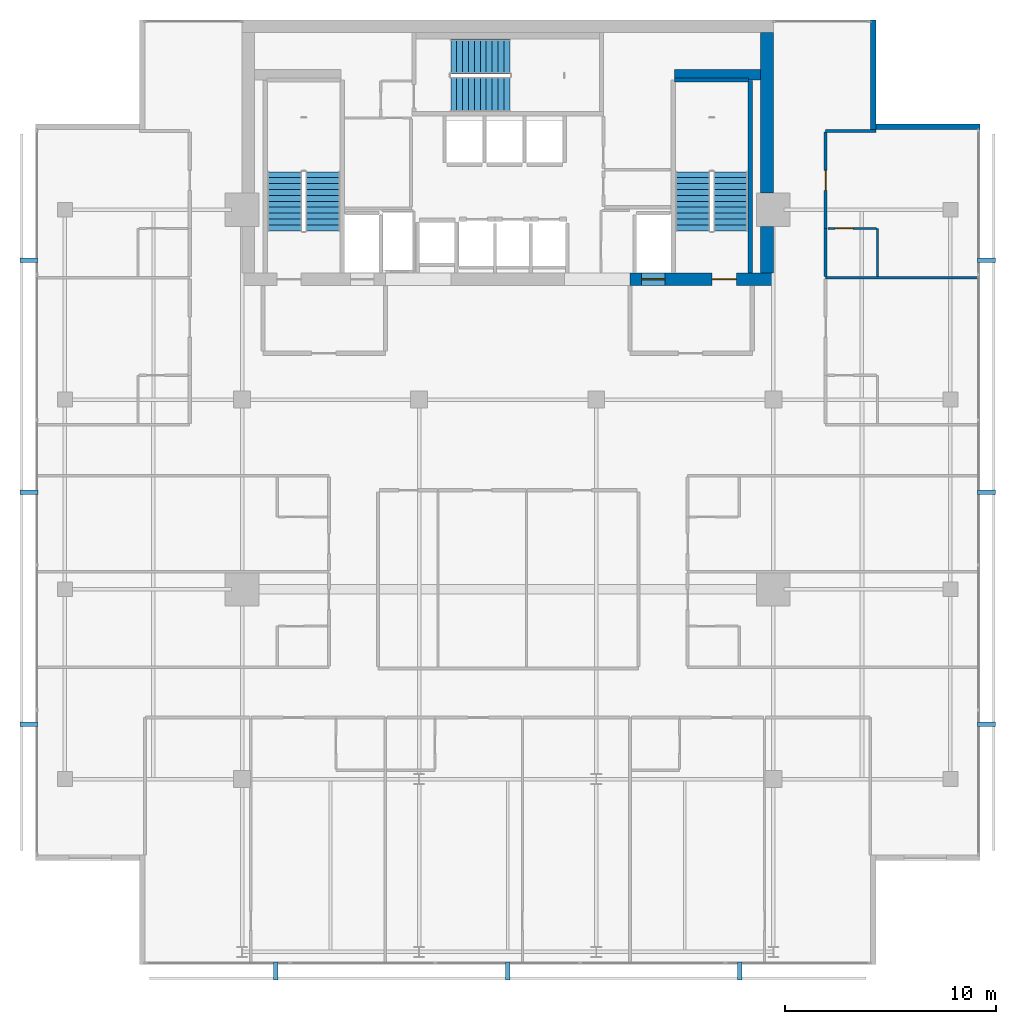
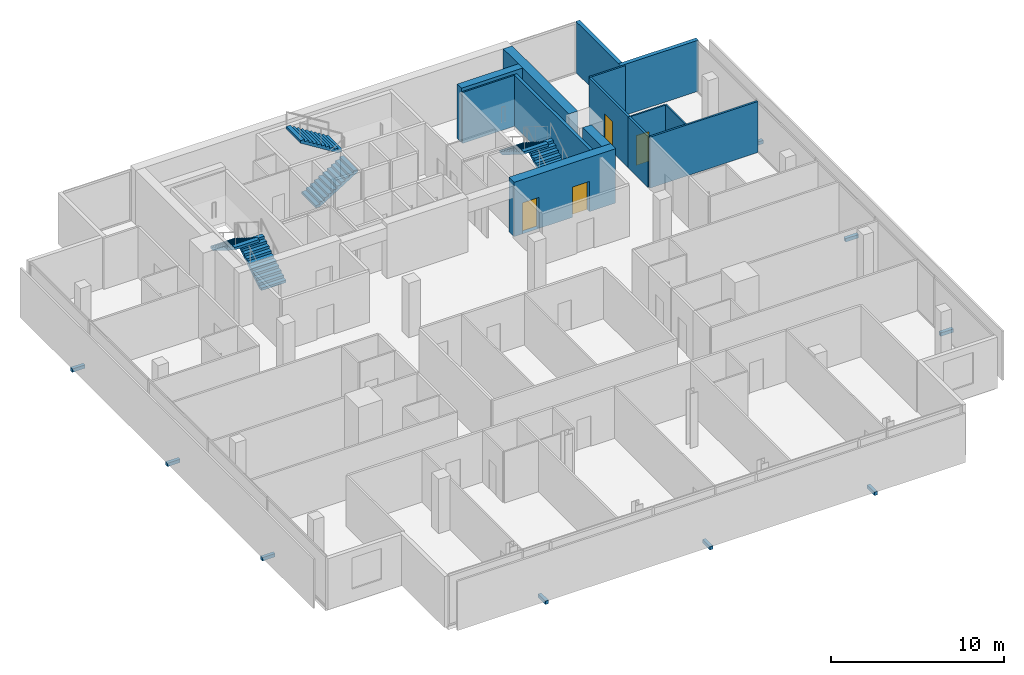
# One storey, part 23 of 25: 14 walls, 9 discrete accessories, 6 stair flights, 4 doors, 4 openings, 3 elements without a shape of their own.
"""IFC4 building model written with IfcOpenShell, lengths in metres."""

from ifc_helpers import new_model, si_unit, direction, frame, frame_2d, origin, origin_2d, place, context, subcontext, project, spatial, polyline, rectangle, outline, extrude, material, layer, layer_set, type_object, element, fill, aggregate, save


model = new_model("IFC4")

# Units and contexts
model_context = context("Model", 3, precision=1e-05, world=origin(), true_north=direction((0.0, 1.0)))
body_context = subcontext(model_context, "Body", "Model", "MODEL_VIEW")
ifc_project = project(units=[si_unit("LENGTHUNIT", "METRE"), si_unit("AREAUNIT", "SQUARE_METRE"), si_unit("VOLUMEUNIT", "CUBIC_METRE"), si_unit("PLANEANGLEUNIT", "RADIAN"), si_unit("MASSUNIT", "GRAM", prefix="KILO")], contexts=[model_context])

# Site, building, storey
site_placement = place(None, origin())
site = spatial("IfcSite", under=ifc_project, at=site_placement, CompositionType="ELEMENT")
building_placement = place(site_placement, origin())
building = spatial("IfcBuilding", under=site, at=building_placement, Name="Maruvema Waterfront Hotel and Observation Tower", CompositionType="ELEMENT")
storey_placement = place(building_placement, frame((0.0, 0.0, 297.14990234375)))
storey = spatial("IfcBuildingStorey", under=building, at=storey_placement, Name="L73", CompositionType="ELEMENT", Elevation=297.14990234375)

# Wall
ifc_material_1 = material(Name="Twin-stud acoustic gypsum drywall", Category="gypsum")
ifc_layer_1 = layer(ifc_material_1, 0.14990234375, Name="Acoustic Corridor and Suite Demising Wall 150 mm")
ifc_layer_set_1 = layer_set([ifc_layer_1], Name="Twin-stud acoustic gypsum drywall")
wall_type_1 = type_object("IfcWallType", Name="Acoustic Corridor and Suite Demising Wall 150 mm", PredefinedType="PARTITIONING", material=ifc_layer_set_1)
wall_1_placement = place(storey_placement, frame((52.8798828125, 41.82861328125, 0.0), z_axis=(0.0, 0.0, 1.0), x_axis=(0.0, 1.0, 0.0)))
element("IfcWall", 1, at=wall_1_placement, inside=storey, type_object=wall_type_1, Name="L73 Bath L73-NE2 Wall 091", PredefinedType="PARTITIONING", context=body_context, shape_type="SweptSolid", body=[
    extrude(rectangle(XDim=2.2900390625, YDim=0.14990234375, at=frame_2d((1.14501953125, 0.0))), origin(), (0.0, 0.0, 1.0), 3.610107421875),
])

# Wall, opening, door
wall_2_placement = place(storey_placement, frame((52.8798828125, 44.11865234375, 0.0), z_axis=(0.0, 0.0, 1.0), x_axis=(0.0, 1.0, 0.0)))
wall_2 = element("IfcWall", 2, at=wall_2_placement, inside=storey, type_object=wall_type_1, Name="L73 Room L73-NE2 Corridor Wall 092", PredefinedType="PARTITIONING", context=body_context, shape_type="SweptSolid", body=[
    extrude(rectangle(XDim=4.558837890625, YDim=0.14990234375, at=frame_2d((2.279296875, 0.0))), origin(), (0.0, 0.0, 1.0), 3.610107421875),
])
opening_1_placement = place(wall_2_placement, frame((1.804443359375, 0.0, 0.0)))
opening_1 = element("IfcOpeningElement", 3, at=opening_1_placement, cuts=wall_2, Name="Opening DR-095", PredefinedType="OPENING", context=body_context, shape_type="SweptSolid", body=[
    extrude(rectangle(XDim=0.949951171875, YDim=2.14990234375, at=frame_2d((0.47509765625, 1.074951171875))), frame((0.0, 0.0849609375, 0.0), z_axis=(0.0, -1.0, 0.0), x_axis=(1.0, 0.0, 0.0)), (0.0, 0.0, 1.0), 0.169921875),
])
ifc_material_2 = material(Name="Acoustic solid-core hardwood timber leaf", Category="wood")
door_type_1 = type_object("IfcDoorType", Name="Guestroom Entrance Fire Door 950x2150 mm", OperationType="NOTDEFINED", PredefinedType="DOOR", material=ifc_material_2)
door_1_placement = place(opening_1_placement, frame((0.949951171875, 0.0, 0.0), z_axis=(0.0, 0.0, 1.0), x_axis=(-1.0, 0.0, 0.0)))
door_1 = element("IfcDoor", 4, at=door_1_placement, inside=storey, type_object=door_type_1, Name="L73 Room L73-NE2 Entrance Door", OperationType="SINGLE_SWING_RIGHT", OverallHeight=2.14990234375, OverallWidth=0.949951171875, PredefinedType="DOOR", context=body_context, shape_type="SweptSolid", body=[
    extrude(rectangle(XDim=0.949951171875, YDim=2.14990234375, at=frame_2d((0.47509765625, 1.074951171875))), frame((0.0, 0.02490234375, 0.0), z_axis=(0.0, -1.0, 0.0), x_axis=(1.0, 0.0, 0.0)), (0.0, 0.0, 1.0), 0.050048828125),
])
fill(opening_1, door_1)

# Walls
ifc_material_3 = material(Name="Precast concrete C45/55", Category="concrete")
ifc_layer_2 = layer(ifc_material_3, 0.199951171875, Name="Core Shaft and Stairwell Enclosure Wall 200 mm")
ifc_layer_set_2 = layer_set([ifc_layer_2], Name="Precast concrete C45/55")
wall_type_2 = type_object("IfcWallType", Name="Core Shaft and Stairwell Enclosure Wall 200 mm", PredefinedType="SOLIDWALL", material=ifc_layer_set_2)
wall_3_placement = place(storey_placement, frame((49.300048828125, 42.0, 0.0), z_axis=(0.0, 0.0, 1.0), x_axis=(0.0, 1.0, 0.0)))
element("IfcWall", 5, at=wall_3_placement, inside=storey, type_object=wall_type_2, Name="L73 Stairwell ST-03 Shaft Lining Wall", PredefinedType="SOLIDWALL", context=body_context, shape_type="SweptSolid", body=[
    extrude(rectangle(XDim=9.1201171875, YDim=0.199951171875, at=frame_2d((4.56005859375, 0.0))), origin(), (0.0, 0.0, 1.0), 3.610107421875),
])
wall_4_placement = place(storey_placement, frame((45.719970703125, 51.14990234375, 0.0), z_axis=(0.0, 0.0, 1.0), x_axis=(1.0, 0.0, 0.0)))
element("IfcWall", 6, at=wall_4_placement, inside=storey, type_object=wall_type_2, Name="L73 Stairwell ST-03 Shaft Lining Wall", PredefinedType="SOLIDWALL", context=body_context, shape_type="SweptSolid", body=[
    extrude(rectangle(XDim=3.5, YDim=0.199951171875, at=frame_2d((1.75, 0.0))), origin(), (0.0, 0.0, 1.0), 3.610107421875),
])
ifc_material_4 = material(Name="Concrete C70/85", Category="concrete")
ifc_layer_3 = layer(ifc_material_4, 0.5, Name="Core Shear Wall 500 mm")
ifc_layer_set_3 = layer_set([ifc_layer_3], Name="Concrete C70/85")
wall_type_3 = type_object("IfcWallType", Name="Core Shear Wall 500 mm", PredefinedType="SHEAR", material=ifc_layer_set_3)
wall_5_placement = place(storey_placement, frame((45.699951171875, 51.39990234375, 0.0), z_axis=(0.0, 0.0, 1.0), x_axis=(1.0, 0.0, 0.0)))
element("IfcWall", 7, at=wall_5_placement, inside=storey, type_object=wall_type_3, Name="L73 Internal Core Shear Wall NE 500 mm", PredefinedType="SHEAR", context=body_context, shape_type="SweptSolid", body=[
    extrude(rectangle(XDim=4.10009765625, YDim=0.5, at=frame_2d((2.050048828125, 0.0))), origin(), (0.0, 0.0, 1.0), 3.85009765625),
])

# Wall, openings, doors
ifc_material_5 = material(Name="Concrete C60/75", Category="concrete")
ifc_layer_4 = layer(ifc_material_5, 0.60009765625, Name="Core Shear Wall 600 mm")
ifc_layer_set_4 = layer_set([ifc_layer_4], Name="Concrete C60/75")
wall_type_4 = type_object("IfcWallType", Name="Core Shear Wall 600 mm", PredefinedType="SHEAR", material=ifc_layer_set_4)
wall_6_placement = place(storey_placement, frame((43.60009765625, 41.699951171875, 0.0), z_axis=(0.0, 0.0, 1.0), x_axis=(1.0, 0.0, 0.0)))
wall_6 = element("IfcWall", 8, at=wall_6_placement, inside=storey, type_object=wall_type_4, Name="L73 South-East Core Shear Wall", PredefinedType="SHEAR", context=body_context, shape_type="SweptSolid", body=[
    extrude(rectangle(XDim=6.7998046875, YDim=0.60009765625, at=frame_2d((3.39990234375, 0.0))), origin(), (0.0, 0.0, 1.0), 3.85009765625),
])
opening_2_placement = place(wall_6_placement, frame((3.89990234375, 0.0, 0.0)))
opening_2 = element("IfcOpeningElement", 9, at=opening_2_placement, cuts=wall_6, Name="Opening SD-01", PredefinedType="OPENING", context=body_context, shape_type="SweptSolid", body=[
    extrude(rectangle(XDim=1.14990234375, YDim=2.14990234375, at=frame_2d((0.574951171875, 1.074951171875))), frame((0.0, 0.31005859375, 0.0), z_axis=(0.0, -1.0, 0.0), x_axis=(1.0, 0.0, 0.0)), (0.0, 0.0, 1.0), 0.6201171875),
])
opening_3_placement = place(wall_6_placement, frame((0.550048828125, 0.0, 0.0)))
opening_3 = element("IfcOpeningElement", 10, at=opening_3_placement, cuts=wall_6, Name="Opening LD-03", PredefinedType="OPENING", context=body_context, shape_type="SweptSolid", body=[
    extrude(rectangle(XDim=1.10009765625, YDim=2.199951171875, at=frame_2d((0.550048828125, 1.10009765625))), frame((0.0, 0.31005859375, 0.0), z_axis=(0.0, -1.0, 0.0), x_axis=(1.0, 0.0, 0.0)), (0.0, 0.0, 1.0), 0.6201171875),
])
ifc_material_6 = material(Name="Fire-rated galvanised steel leaf", Category="steel")
door_type_2 = type_object("IfcDoorType", Name="Exit Stair Fire Door 1150x2150 mm", OperationType="NOTDEFINED", PredefinedType="DOOR", material=ifc_material_6)
door_2_placement = place(opening_2_placement, origin())
door_2 = element("IfcDoor", 11, at=door_2_placement, inside=storey, type_object=door_type_2, Name="L73 Exit Stair ST-03 Fire Door", OperationType="SINGLE_SWING_RIGHT", OverallHeight=2.14990234375, OverallWidth=1.14990234375, PredefinedType="DOOR", context=body_context, shape_type="SweptSolid", body=[
    extrude(rectangle(XDim=1.14990234375, YDim=2.14990234375, at=frame_2d((0.574951171875, 1.074951171875))), frame((0.0, 0.02490234375, 0.0), z_axis=(0.0, -1.0, 0.0), x_axis=(1.0, 0.0, 0.0)), (0.0, 0.0, 1.0), 0.050048828125),
])
fill(opening_2, door_2)
ifc_material_7 = material(Name="Brushed stainless steel Grade 316", Category="steel")
door_type_3 = type_object("IfcDoorType", Name="Firefighting Lift Sliding Landing Door 1100x2200 mm", OperationType="SLIDING_TO_LEFT", PredefinedType="DOOR", material=ifc_material_7)
door_3_placement = place(opening_3_placement, frame((1.10009765625, 0.0, 0.0), z_axis=(0.0, 0.0, 1.0), x_axis=(-1.0, 0.0, 0.0)))
door_3 = element("IfcDoor", 12, at=door_3_placement, inside=storey, type_object=door_type_3, Name="L73 Firefighting Lift FL-02 Landing Door", OperationType="SLIDING_TO_LEFT", OverallHeight=2.199951171875, OverallWidth=1.10009765625, PredefinedType="DOOR", context=body_context, shape_type="SweptSolid", body=[
    extrude(rectangle(XDim=1.10009765625, YDim=2.199951171875, at=frame_2d((0.550048828125, 1.10009765625))), frame((0.0, 0.02490234375, 0.0), z_axis=(0.0, -1.0, 0.0), x_axis=(1.0, 0.0, 0.0)), (0.0, 0.0, 1.0), 0.050048828125),
])
fill(opening_3, door_3)

# Walls
wall_7_placement = place(storey_placement, frame((50.10009765625, 42.0, 0.0), z_axis=(0.0, 0.0, 1.0), x_axis=(0.0, 1.0, 0.0)))
element("IfcWall", 13, at=wall_7_placement, inside=storey, type_object=wall_type_4, Name="L73 East-South Core Shear Wall", PredefinedType="SHEAR", context=body_context, shape_type="SweptSolid", body=[
    extrude(rectangle(XDim=2.199951171875, YDim=0.60009765625, at=frame_2d((1.10009765625, 0.0))), origin(), (0.0, 0.0, 1.0), 3.85009765625),
])
wall_8_placement = place(storey_placement, frame((50.10009765625, 45.800048828125, 0.0), z_axis=(0.0, 0.0, 1.0), x_axis=(0.0, 1.0, 0.0)))
element("IfcWall", 14, at=wall_8_placement, inside=storey, type_object=wall_type_4, Name="L73 East-North Core Shear Wall", PredefinedType="SHEAR", context=body_context, shape_type="SweptSolid", body=[
    extrude(rectangle(XDim=7.599853515625, YDim=0.60009765625, at=frame_2d((3.7998046875, 0.0))), origin(), (0.0, 0.0, 1.0), 3.85009765625),
])
ifc_material_8 = material(Name="Moisture-resistant cement-board drywall", Category="gypsum")
ifc_layer_5 = layer(ifc_material_8, 0.10009765625, Name="En-Suite Moisture-Resistant Partition 100 mm")
ifc_layer_set_5 = layer_set([ifc_layer_5], Name="Moisture-resistant cement-board drywall")
wall_type_5 = type_object("IfcWallType", Name="En-Suite Moisture-Resistant Partition 100 mm", PredefinedType="PARTITIONING", material=ifc_layer_set_5)
wall_9_placement = place(storey_placement, frame((55.330078125, 41.82861328125, 0.0), z_axis=(0.0, 0.0, 1.0), x_axis=(0.0, 1.0, 0.0)))
element("IfcWall", 15, at=wall_9_placement, inside=storey, type_object=wall_type_5, Name="L73 En-Suite L73-NE2 E 093", PredefinedType="PARTITIONING", context=body_context, shape_type="SweptSolid", body=[
    extrude(rectangle(XDim=2.2900390625, YDim=0.10009765625, at=frame_2d((1.14501953125, 0.0))), origin(), (0.0, 0.0, 1.0), 3.610107421875),
])

# Wall, opening, door
wall_10_placement = place(storey_placement, frame((52.97998046875, 44.11865234375, 0.0), z_axis=(0.0, 0.0, 1.0), x_axis=(1.0, 0.0, 0.0)))
wall_10 = element("IfcWall", 16, at=wall_10_placement, inside=storey, type_object=wall_type_5, Name="L73 En-Suite L73-NE2 N 094", PredefinedType="PARTITIONING", context=body_context, shape_type="SweptSolid", body=[
    extrude(rectangle(XDim=2.300048828125, YDim=0.10009765625, at=frame_2d((1.14990234375, 0.0))), origin(), (0.0, 0.0, 1.0), 3.610107421875),
])
opening_4_placement = place(wall_10_placement, frame((0.35009765625, 0.0, 0.0)))
opening_4 = element("IfcOpeningElement", 17, at=opening_4_placement, cuts=wall_10, Name="Opening DR-085", PredefinedType="OPENING", context=body_context, shape_type="SweptSolid", body=[
    extrude(rectangle(XDim=0.85009765625, YDim=2.10009765625, at=frame_2d((0.425048828125, 1.050048828125))), frame((0.0, 0.06005859375, 0.0), z_axis=(0.0, -1.0, 0.0), x_axis=(1.0, 0.0, 0.0)), (0.0, 0.0, 1.0), 0.1201171875),
])
ifc_material_9 = material(Name="Moisture-resistant solid timber leaf", Category="wood")
door_type_4 = type_object("IfcDoorType", Name="En-Suite Bathroom Door 850x2100 mm", OperationType="NOTDEFINED", PredefinedType="DOOR", material=ifc_material_9)
door_4_placement = place(opening_4_placement, origin())
door_4 = element("IfcDoor", 18, at=door_4_placement, inside=storey, type_object=door_type_4, Name="L73 En-Suite L73-NE2 Door", OperationType="SINGLE_SWING_LEFT", OverallHeight=2.10009765625, OverallWidth=0.85009765625, PredefinedType="DOOR", context=body_context, shape_type="SweptSolid", body=[
    extrude(rectangle(XDim=0.85009765625, YDim=2.10009765625, at=frame_2d((0.425048828125, 1.050048828125))), frame((0.0, 0.02490234375, 0.0), z_axis=(0.0, -1.0, 0.0), x_axis=(1.0, 0.0, 0.0)), (0.0, 0.0, 1.0), 0.050048828125),
])
fill(opening_4, door_4)

# Walls
ifc_material_10 = material(Name="Precast concrete C45/55 with honed Pernambuco granite facing", Category="masonry")
ifc_layer_6 = layer(ifc_material_10, 0.260009765625, Name="Exterior Granite Clad Spandrel and Pier Wall 260 mm")
ifc_layer_set_6 = layer_set([ifc_layer_6], Name="Precast concrete C45/55 with honed Pernambuco granite facing")
wall_type_6 = type_object("IfcWallType", Name="Exterior Granite Clad Spandrel and Pier Wall 260 mm", PredefinedType="SOLIDWALL", material=ifc_layer_set_6)
for number, where, z_axis, x_axis, name in (
    (19, (55.1298828125, 54.0, 0.0), (0.0, 0.0, 1.0), (0.0, -1.0, 0.0), "L73 Corner Notch Granite Pier Wall NE1"),
    (20, (55.0, 48.929931640625, 0.0), (0.0, 0.0, 1.0), (1.0, 0.0, 0.0), "L73 Corner Notch Granite Pier Wall NE2"),
):
    element("IfcWall", number, at=place(storey_placement, frame(where, z_axis=z_axis, x_axis=x_axis)), inside=storey, type_object=wall_type_6, Name=name, PredefinedType="SOLIDWALL", context=body_context, shape_type="SweptSolid", body=[
        extrude(rectangle(XDim=5.199951171875, YDim=0.260009765625, at=frame_2d((2.60009765625, 0.0))), origin(), (0.0, 0.0, 1.0), 3.610107421875),
    ])
ifc_material_11 = material(Name="Acoustic gypsum plasterboard drywall", Category="gypsum")
ifc_layer_7 = layer(ifc_material_11, 0.125, Name="Guestroom Acoustic Demising Wall 125 mm")
ifc_layer_set_7 = layer_set([ifc_layer_7], Name="Acoustic gypsum plasterboard drywall")
wall_type_7 = type_object("IfcWallType", Name="Guestroom Acoustic Demising Wall 125 mm", PredefinedType="PARTITIONING", material=ifc_layer_set_7)
wall_11_placement = place(storey_placement, frame((52.8798828125, 48.737548828125, 0.0), z_axis=(0.0, 0.0, 1.0), x_axis=(1.0, 0.0, 0.0)))
element("IfcWall", 21, at=wall_11_placement, inside=storey, type_object=wall_type_7, Name="L73 Z3 NE Top End 076", PredefinedType="PARTITIONING", context=body_context, shape_type="SweptSolid", body=[
    extrude(rectangle(XDim=2.380126953125, YDim=0.125, at=frame_2d((1.18994140625, 0.0))), origin(), (0.0, 0.0, 1.0), 3.610107421875),
])
wall_12_placement = place(storey_placement, frame((52.8798828125, 41.768798828125, 0.0), z_axis=(0.0, 0.0, 1.0), x_axis=(1.0, 0.0, 0.0)))
element("IfcWall", 22, at=wall_12_placement, inside=storey, type_object=wall_type_7, Name="L73 Z3 NE Demising 2 086", PredefinedType="PARTITIONING", context=body_context, shape_type="SweptSolid", body=[
    extrude(rectangle(XDim=7.22021484375, YDim=0.125, at=frame_2d((3.610107421875, 0.0))), origin(), (0.0, 0.0, 1.0), 3.610107421875),
])

# Stair, stair flights
ifc_material_12 = material(Name="Concrete C50/60", Category="concrete")
stair_type = type_object("IfcStairType", Name="Dogleg Exit Stair 1650 mm (22R x 175.0 mm)", PredefinedType="HALF_TURN_STAIR", material=ifc_material_12)
stair_1_placement = place(storey_placement, origin())
stair_1 = element("IfcStair", 23, at=stair_1_placement, inside=storey, type_object=stair_type, Name="L73 ST-01", PredefinedType="HALF_TURN_STAIR")
ifc_material_13 = material(Name="Concrete C50/60", Category="concrete")
stair_flight_type = type_object("IfcStairFlightType", Name="Reinforced Concrete Stair Flight 1650 mm (11R x 175.0 mm)", PredefinedType="STRAIGHT", material=ifc_material_13)
stair_flight_1_placement = place(storey_placement, frame((29.02490234375, 44.0, 0.0), z_axis=(0.0, 0.0, 1.0), x_axis=(0.0, 1.0, 0.0)))
stair_flight_1 = element("IfcStairFlight", 24, at=stair_flight_1_placement, type_object=stair_flight_type, Name="ST-01 flight 1", NumberOfRisers=11, NumberOfTreads=10, PredefinedType="STRAIGHT", RiserHeight=0.175, TreadLength=0.28, context=body_context, shape_type="SweptSolid", body=[
    extrude(outline(polyline([(0.0, 0.0), (0.0, 0.175048828125), (0.280029296875, 0.175048828125), (0.280029296875, 0.35009765625), (0.56005859375, 0.35009765625), (0.56005859375, 0.52490234375), (0.840087890625, 0.52490234375), (0.840087890625, 0.699951171875), (1.1201171875, 0.699951171875), (1.1201171875, 0.875), (1.39990234375, 0.875), (1.39990234375, 1.050048828125), (1.679931640625, 1.050048828125), (1.679931640625, 1.22509765625), (1.9599609375, 1.22509765625), (1.9599609375, 1.39990234375), (2.239990234375, 1.39990234375), (2.239990234375, 1.574951171875), (2.52001953125, 1.574951171875), (2.52001953125, 1.75), (2.800048828125, 1.75), (2.800048828125, 1.925048828125), (2.800048828125, 1.5732421875), (0.28271484375, 0.0), (0.0, 0.0)])), frame((0.0, 0.824951171875, 0.0), z_axis=(0.0, -1.0, 0.0), x_axis=(1.0, 0.0, 0.0)), (0.0, 0.0, 1.0), 1.64990234375),
])
stair_flight_2_placement = place(storey_placement, frame((27.22509765625, 46.800048828125, 1.925048828125), z_axis=(0.0, 0.0, 1.0), x_axis=(0.0, -1.0, 0.0)))
stair_flight_2 = element("IfcStairFlight", 25, at=stair_flight_2_placement, type_object=stair_flight_type, Name="ST-01 flight 2", NumberOfRisers=11, NumberOfTreads=10, PredefinedType="STRAIGHT", RiserHeight=0.175, TreadLength=0.28, context=body_context, shape_type="SweptSolid", body=[
    extrude(outline(polyline([(0.0, 0.0), (0.0, 0.175048828125), (0.280029296875, 0.175048828125), (0.280029296875, 0.35009765625), (0.56005859375, 0.35009765625), (0.56005859375, 0.52490234375), (0.840087890625, 0.52490234375), (0.840087890625, 0.699951171875), (1.1201171875, 0.699951171875), (1.1201171875, 0.875), (1.39990234375, 0.875), (1.39990234375, 1.050048828125), (1.679931640625, 1.050048828125), (1.679931640625, 1.22509765625), (1.9599609375, 1.22509765625), (1.9599609375, 1.39990234375), (2.239990234375, 1.39990234375), (2.239990234375, 1.574951171875), (2.52001953125, 1.574951171875), (2.52001953125, 1.75), (2.800048828125, 1.75), (2.800048828125, 1.925048828125), (2.800048828125, 1.5732421875), (0.28271484375, 0.0), (0.0, 0.0)])), frame((0.0, 0.824951171875, 0.0), z_axis=(0.0, -1.0, 0.0), x_axis=(1.0, 0.0, 0.0)), (0.0, 0.0, 1.0), 1.64990234375),
])
aggregate(stair_1, [stair_flight_1, stair_flight_2])

stair_2_placement = place(storey_placement, origin())
stair_2 = element("IfcStair", 26, at=stair_2_placement, inside=storey, type_object=stair_type, Name="L73 ST-02", PredefinedType="HALF_TURN_STAIR")
stair_flight_3_placement = place(storey_placement, frame((35.10009765625, 50.47509765625, 0.0), z_axis=(0.0, 0.0, 1.0), x_axis=(1.0, 0.0, 0.0)))
stair_flight_3 = element("IfcStairFlight", 27, at=stair_flight_3_placement, type_object=stair_flight_type, Name="ST-02 flight 1", NumberOfRisers=11, NumberOfTreads=10, PredefinedType="STRAIGHT", RiserHeight=0.175, TreadLength=0.28, context=body_context, shape_type="SweptSolid", body=[
    extrude(outline(polyline([(0.0, 0.0), (0.0, 0.175048828125), (0.280029296875, 0.175048828125), (0.280029296875, 0.35009765625), (0.56005859375, 0.35009765625), (0.56005859375, 0.52490234375), (0.840087890625, 0.52490234375), (0.840087890625, 0.699951171875), (1.1201171875, 0.699951171875), (1.1201171875, 0.875), (1.39990234375, 0.875), (1.39990234375, 1.050048828125), (1.679931640625, 1.050048828125), (1.679931640625, 1.22509765625), (1.9599609375, 1.22509765625), (1.9599609375, 1.39990234375), (2.239990234375, 1.39990234375), (2.239990234375, 1.574951171875), (2.52001953125, 1.574951171875), (2.52001953125, 1.75), (2.800048828125, 1.75), (2.800048828125, 1.925048828125), (2.800048828125, 1.5732421875), (0.28271484375, 0.0), (0.0, 0.0)])), frame((0.0, 0.824951171875, 0.0), z_axis=(0.0, -1.0, 0.0), x_axis=(1.0, 0.0, 0.0)), (0.0, 0.0, 1.0), 1.64990234375),
])
stair_flight_4_placement = place(storey_placement, frame((37.89990234375, 52.27490234375, 1.925048828125), z_axis=(0.0, 0.0, 1.0), x_axis=(-1.0, 0.0, 0.0)))
stair_flight_4 = element("IfcStairFlight", 28, at=stair_flight_4_placement, type_object=stair_flight_type, Name="ST-02 flight 2", NumberOfRisers=11, NumberOfTreads=10, PredefinedType="STRAIGHT", RiserHeight=0.175, TreadLength=0.28, context=body_context, shape_type="SweptSolid", body=[
    extrude(outline(polyline([(0.0, 0.0), (0.0, 0.175048828125), (0.280029296875, 0.175048828125), (0.280029296875, 0.35009765625), (0.56005859375, 0.35009765625), (0.56005859375, 0.52490234375), (0.840087890625, 0.52490234375), (0.840087890625, 0.699951171875), (1.1201171875, 0.699951171875), (1.1201171875, 0.875), (1.39990234375, 0.875), (1.39990234375, 1.050048828125), (1.679931640625, 1.050048828125), (1.679931640625, 1.22509765625), (1.9599609375, 1.22509765625), (1.9599609375, 1.39990234375), (2.239990234375, 1.39990234375), (2.239990234375, 1.574951171875), (2.52001953125, 1.574951171875), (2.52001953125, 1.75), (2.800048828125, 1.75), (2.800048828125, 1.925048828125), (2.800048828125, 1.5732421875), (0.28271484375, 0.0), (0.0, 0.0)])), frame((0.0, 0.824951171875, 0.0), z_axis=(0.0, -1.0, 0.0), x_axis=(1.0, 0.0, 0.0)), (0.0, 0.0, 1.0), 1.64990234375),
])
aggregate(stair_2, [stair_flight_3, stair_flight_4])

stair_3_placement = place(storey_placement, origin())
stair_3 = element("IfcStair", 29, at=stair_3_placement, inside=storey, type_object=stair_type, Name="L73 ST-03", PredefinedType="HALF_TURN_STAIR")
stair_flight_5_placement = place(storey_placement, frame((48.375, 44.0, 0.0), z_axis=(0.0, 0.0, 1.0), x_axis=(0.0, 1.0, 0.0)))
stair_flight_5 = element("IfcStairFlight", 30, at=stair_flight_5_placement, type_object=stair_flight_type, Name="ST-03 flight 1", NumberOfRisers=11, NumberOfTreads=10, PredefinedType="STRAIGHT", RiserHeight=0.175, TreadLength=0.28, context=body_context, shape_type="SweptSolid", body=[
    extrude(outline(polyline([(0.0, 0.0), (0.0, 0.175048828125), (0.280029296875, 0.175048828125), (0.280029296875, 0.35009765625), (0.56005859375, 0.35009765625), (0.56005859375, 0.52490234375), (0.840087890625, 0.52490234375), (0.840087890625, 0.699951171875), (1.1201171875, 0.699951171875), (1.1201171875, 0.875), (1.39990234375, 0.875), (1.39990234375, 1.050048828125), (1.679931640625, 1.050048828125), (1.679931640625, 1.22509765625), (1.9599609375, 1.22509765625), (1.9599609375, 1.39990234375), (2.239990234375, 1.39990234375), (2.239990234375, 1.574951171875), (2.52001953125, 1.574951171875), (2.52001953125, 1.75), (2.800048828125, 1.75), (2.800048828125, 1.925048828125), (2.800048828125, 1.5732421875), (0.28271484375, 0.0), (0.0, 0.0)])), frame((0.0, 0.824951171875, 0.0), z_axis=(0.0, -1.0, 0.0), x_axis=(1.0, 0.0, 0.0)), (0.0, 0.0, 1.0), 1.64990234375),
])
stair_flight_6_placement = place(storey_placement, frame((46.574951171875, 46.800048828125, 1.925048828125), z_axis=(0.0, 0.0, 1.0), x_axis=(0.0, -1.0, 0.0)))
stair_flight_6 = element("IfcStairFlight", 31, at=stair_flight_6_placement, type_object=stair_flight_type, Name="ST-03 flight 2", NumberOfRisers=11, NumberOfTreads=10, PredefinedType="STRAIGHT", RiserHeight=0.175, TreadLength=0.28, context=body_context, shape_type="SweptSolid", body=[
    extrude(outline(polyline([(0.0, 0.0), (0.0, 0.175048828125), (0.280029296875, 0.175048828125), (0.280029296875, 0.35009765625), (0.56005859375, 0.35009765625), (0.56005859375, 0.52490234375), (0.840087890625, 0.52490234375), (0.840087890625, 0.699951171875), (1.1201171875, 0.699951171875), (1.1201171875, 0.875), (1.39990234375, 0.875), (1.39990234375, 1.050048828125), (1.679931640625, 1.050048828125), (1.679931640625, 1.22509765625), (1.9599609375, 1.22509765625), (1.9599609375, 1.39990234375), (2.239990234375, 1.39990234375), (2.239990234375, 1.574951171875), (2.52001953125, 1.574951171875), (2.52001953125, 1.75), (2.800048828125, 1.75), (2.800048828125, 1.925048828125), (2.800048828125, 1.5732421875), (0.28271484375, 0.0), (0.0, 0.0)])), frame((0.0, 0.824951171875, 0.0), z_axis=(0.0, -1.0, 0.0), x_axis=(1.0, 0.0, 0.0)), (0.0, 0.0, 1.0), 1.64990234375),
])
aggregate(stair_3, [stair_flight_5, stair_flight_6])

# Discrete accessories
ifc_material_14 = material(Name="Duplex stainless steel Grade 2205", Category="steel")
discrete_accessory_type = type_object("IfcDiscreteAccessoryType", Name="Double-Skin Cavity Stainless Outrigger Bracket", PredefinedType="BRACKET", material=ifc_material_14)
for number, where, z_axis, x_axis, name in (
    (32, (26.7919921875, 8.89990234375, -0.14013671875), (0.0, 0.0, 1.0), (1.0, 0.0, 0.0), "L73 Outer Skin Support Bracket 1"),
    (33, (37.800048828125, 8.89990234375, -0.14013671875), (0.0, 0.0, 1.0), (1.0, 0.0, 0.0), "L73 Outer Skin Support Bracket 2"),
    (34, (48.80810546875, 8.89990234375, -0.14013671875), (0.0, 0.0, 1.0), (1.0, 0.0, 0.0), "L73 Outer Skin Support Bracket 3"),
    (35, (60.5, 20.592041015625, -0.14013671875), (0.0, 0.0, 1.0), (0.0, 1.0, 0.0), "L73 Outer Skin Support Bracket 1"),
    (36, (60.5, 31.60009765625, -0.14013671875), (0.0, 0.0, 1.0), (0.0, 1.0, 0.0), "L73 Outer Skin Support Bracket 2"),
    (37, (60.5, 42.60791015625, -0.14013671875), (0.0, 0.0, 1.0), (0.0, 1.0, 0.0), "L73 Outer Skin Support Bracket 3"),
    (38, (15.10009765625, 42.60791015625, -0.14013671875), (0.0, 0.0, 1.0), (0.0, -1.0, 0.0), "L73 Outer Skin Support Bracket 1"),
    (39, (15.10009765625, 31.60009765625, -0.14013671875), (0.0, 0.0, 1.0), (0.0, -1.0, 0.0), "L73 Outer Skin Support Bracket 2"),
    (40, (15.10009765625, 20.592041015625, -0.14013671875), (0.0, 0.0, 1.0), (0.0, -1.0, 0.0), "L73 Outer Skin Support Bracket 3"),
):
    element("IfcDiscreteAccessory", number, at=place(storey_placement, frame(where, z_axis=z_axis, x_axis=x_axis)), inside=storey, type_object=discrete_accessory_type, Name=name, PredefinedType="BRACKET", context=body_context, shape_type="SweptSolid", body=[
        extrude(rectangle(XDim=0.219970703125, YDim=0.860107421875, at=origin_2d()), origin(), (0.0, 0.0, 1.0), 0.239990234375),
    ])

save(model, "model.ifc")
